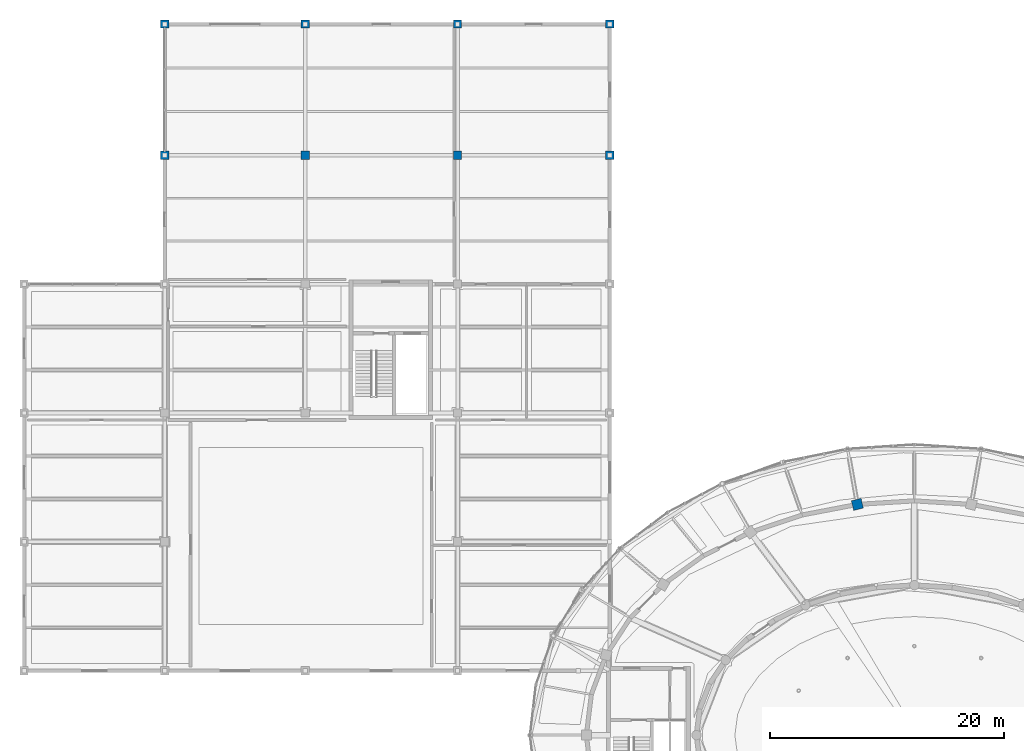
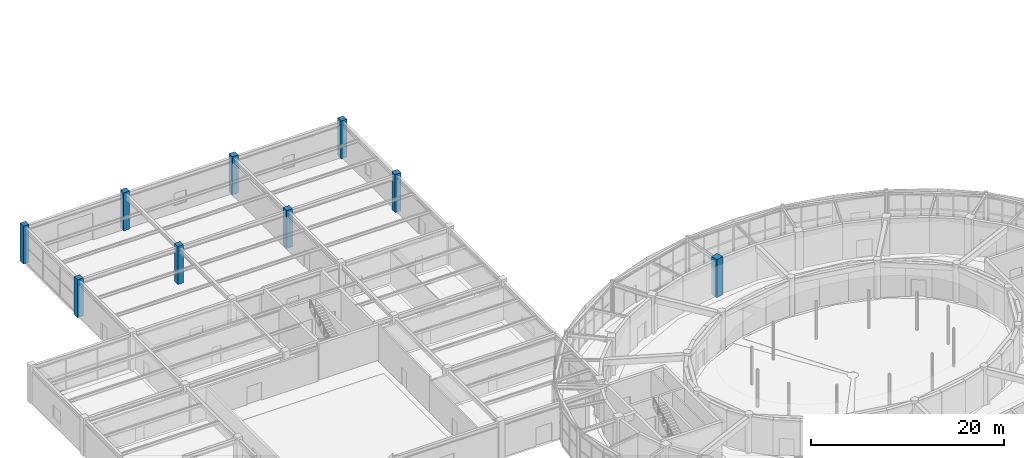
# One storey, part 13 of 108: 9 columns.
"""IFC4 building model written with IfcOpenShell, lengths in metres."""

from ifc_helpers import new_model, si_unit, direction, frame, origin, origin_2d, place, context, subcontext, project, spatial, rectangle, extrude, material, material_profile, profile_set, type_object, element, save


model = new_model("IFC4")

# Units and contexts
model_context = context("Model", 3, precision=1e-05, world=origin(), true_north=direction((0.0, 1.0)))
body_context = subcontext(model_context, "Body", "Model", "MODEL_VIEW")
ifc_project = project(units=[si_unit("LENGTHUNIT", "METRE"), si_unit("AREAUNIT", "SQUARE_METRE"), si_unit("VOLUMEUNIT", "CUBIC_METRE"), si_unit("PLANEANGLEUNIT", "RADIAN"), si_unit("MASSUNIT", "GRAM", prefix="KILO")], contexts=[model_context])

# Site, building, storey
site_placement = place(None, origin())
site = spatial("IfcSite", under=ifc_project, at=site_placement, CompositionType="ELEMENT")
building_placement = place(site_placement, origin())
building = spatial("IfcBuilding", under=site, at=building_placement, Name="Tarnveldt Headland Concert Hall", CompositionType="ELEMENT")
storey_placement = place(building_placement, origin())
storey = spatial("IfcBuildingStorey", under=building, at=storey_placement, Name="L00", CompositionType="ELEMENT", Elevation=0.0)

# Columns
ifc_material = material(Name="Concrete C40/50", Category="concrete")
ifc_material_profile_1 = material_profile(ifc_material, rectangle(XDim=0.699951171875, YDim=0.699951171875, at=origin_2d()), Name="RC 700x700", Category="concrete")
ifc_profile_set_1 = profile_set([ifc_material_profile_1], Name="Concrete C40/50")
column_type_1 = type_object("IfcColumnType", Name="CC-700", PredefinedType="COLUMN", material=ifc_profile_set_1)
for number, where, z_axis, x_axis, name in (
    (1, (19.5, 104.0, 0.0), (0.0, 0.0, 1.0), (1.0, 0.0, 0.0), "Column V5C09 L00"),
    (2, (19.5, 115.199951171875, 0.0), (0.0, 0.0, 1.0), (1.0, 0.0, 0.0), "Column V5C10 L00"),
    (3, (31.5, 104.0, 0.0), (0.0, 0.0, 1.0), (1.0, 0.0, 0.0), "Column V5C14 L00"),
    (4, (31.5, 115.199951171875, 0.0), (0.0, 0.0, 1.0), (1.0, 0.0, 0.0), "Column V5C15 L00"),
    (5, (44.5, 104.0, 0.0), (0.0, 0.0, 1.0), (1.0, 0.0, 0.0), "Column V5C20 L00"),
    (6, (44.5, 115.199951171875, 0.0), (0.0, 0.0, 1.0), (1.0, 0.0, 0.0), "Column V5C21 L00"),
    (7, (57.5, 104.0, 0.0), (0.0, 0.0, 1.0), (1.0, 0.0, 0.0), "Column V5C24 L00"),
    (8, (57.5, 115.199951171875, 0.0), (0.0, 0.0, 1.0), (1.0, 0.0, 0.0), "Column V5C25 L00"),
):
    element("IfcColumn", number, at=place(storey_placement, frame(where, z_axis=z_axis, x_axis=x_axis)), inside=storey, type_object=column_type_1, Name=name, PredefinedType="COLUMN", context=body_context, shape_type="SweptSolid", body=[
        extrude(rectangle(XDim=0.699951171875, YDim=0.699951171875, at=origin_2d()), origin(), (0.0, 0.0, 1.0), 4.800048828125),
    ])
ifc_material_profile_2 = material_profile(ifc_material, rectangle(XDim=0.85009765625, YDim=0.85009765625, at=origin_2d()), Name="RC 850x850", Category="concrete")
ifc_profile_set_2 = profile_set([ifc_material_profile_2], Name="Concrete C40/50")
column_type_2 = type_object("IfcColumnType", Name="CC-850", PredefinedType="COLUMN", material=ifc_profile_set_2)
column_placement = place(storey_placement, frame((78.637939453125, 74.1962890625, 0.0), z_axis=(0.0, 0.0, 1.0), x_axis=(-0.239719743609, 0.970842131618, 0.0)))
element("IfcColumn", 9, at=column_placement, inside=storey, type_object=column_type_2, Name="Column V2DC06 L00", PredefinedType="COLUMN", context=body_context, shape_type="SweptSolid", body=[
    extrude(rectangle(XDim=0.85009765625, YDim=0.85009765625, at=origin_2d()), origin(), (0.0, 0.0, 1.0), 4.800048828125),
])

save(model, "model.ifc")
